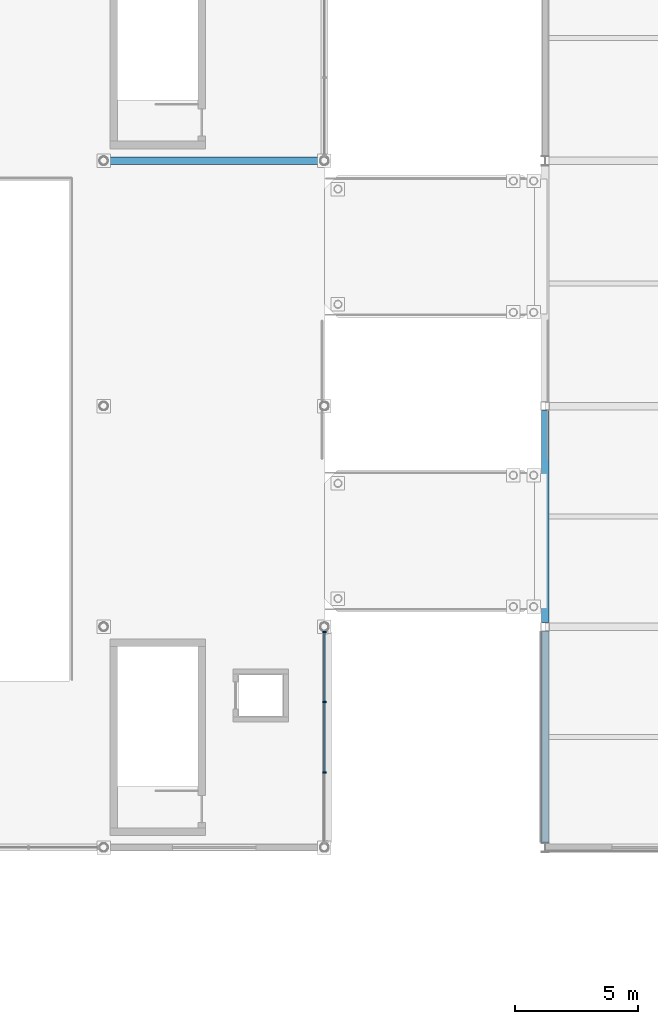
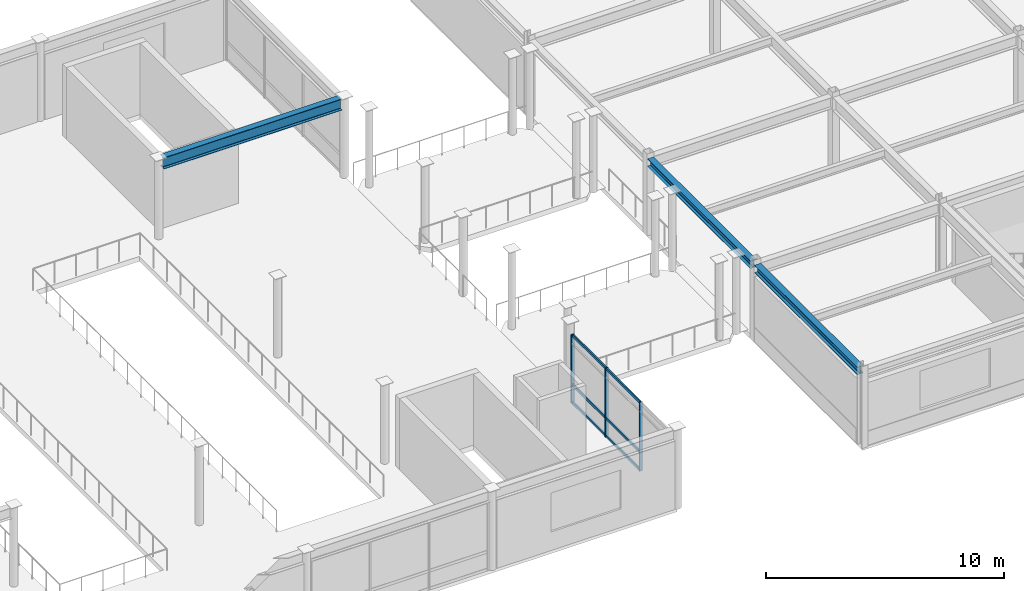
# One storey, part 20 of 53: 9 members, 3 beams, 1 element without a shape of its own.
"""IFC4 building model written with IfcOpenShell, lengths in metres."""

from ifc_helpers import new_model, si_unit, direction, frame, origin, origin_2d, place, context, subcontext, project, spatial, rectangle, i_section, extrude, material, material_profile, profile_set, type_object, element, aggregate, save


model = new_model("IFC4")

# Units and contexts
model_context = context("Model", 3, precision=1e-05, world=origin(), true_north=direction((0.0, 1.0)))
body_context = subcontext(model_context, "Body", "Model", "MODEL_VIEW")
ifc_project = project(units=[si_unit("LENGTHUNIT", "METRE"), si_unit("AREAUNIT", "SQUARE_METRE"), si_unit("VOLUMEUNIT", "CUBIC_METRE"), si_unit("PLANEANGLEUNIT", "RADIAN"), si_unit("MASSUNIT", "GRAM", prefix="KILO")], contexts=[model_context])

# Site, building, storey
site_placement = place(None, origin())
site = spatial("IfcSite", under=ifc_project, at=site_placement, CompositionType="ELEMENT")
building_placement = place(site_placement, origin())
building = spatial("IfcBuilding", under=site, at=building_placement, Name="Suzunagisa Mobility Hub", CompositionType="ELEMENT")
storey_placement = place(building_placement, frame((0.0, 0.0, 17.699951171875)))
storey = spatial("IfcBuildingStorey", under=building, at=storey_placement, Name="L04", CompositionType="ELEMENT", Elevation=17.699951171875)

# Curtain wall, members
ifc_material_1 = material(Name="Thermally Broken Anodized Aluminum and Low-E Glazing", Category="aluminium")
curtain_wall_type = type_object("IfcCurtainWallType", Name="Unitised Curtain Wall CW-15 8750x3500", PredefinedType="USERDEFINED", material=ifc_material_1)
curtain_wall_placement = place(storey_placement, origin())
curtain_wall = element("IfcCurtainWall", 1, at=curtain_wall_placement, inside=storey, type_object=curtain_wall_type, Name="L04 Unitised Curtain Wall CW-84", ObjectType="UNITISED CURTAIN WALL", PredefinedType="USERDEFINED")
ifc_material_2 = material(Name="Anodized Aluminum 6063-T6", Category="aluminium")
ifc_material_profile_1 = material_profile(ifc_material_2, rectangle(XDim=0.06494140625, YDim=0.139892578125, at=origin_2d()), Name="TRAN-65x140")
ifc_profile_set_1 = profile_set([ifc_material_profile_1], Name="Anodized Aluminum 6063-T6")
member_type_1 = type_object("IfcMemberType", Name="Curtain Wall Framing CM-01 TRAN-65x140", PredefinedType="USERDEFINED", material=ifc_profile_set_1)
member_1_placement = place(storey_placement, frame((36.0, 83.08740234375, 0.032470703125), z_axis=(0.0, 1.0, 0.0), x_axis=(-1.0, 0.0, 0.0)))
member_1 = element("IfcMember", 2, at=member_1_placement, type_object=member_type_1, Name="Curtain Wall Transom 84-T2.1", ObjectType="TRANSOM", PredefinedType="USERDEFINED", context=body_context, shape_type="SweptSolid", body=[
    extrude(rectangle(XDim=0.06494140625, YDim=0.139892578125, at=origin_2d()), origin(), (0.0, 0.0, 1.0), 2.8251953125),
])
member_2_placement = place(storey_placement, frame((36.0, 83.08740234375, 0.949951171875), z_axis=(0.0, 1.0, 0.0), x_axis=(-1.0, 0.0, 0.0)))
member_2 = element("IfcMember", 3, at=member_2_placement, type_object=member_type_1, Name="Curtain Wall Transom 84-T2.2", ObjectType="TRANSOM", PredefinedType="USERDEFINED", context=body_context, shape_type="SweptSolid", body=[
    extrude(rectangle(XDim=0.06494140625, YDim=0.139892578125, at=origin_2d()), origin(), (0.0, 0.0, 1.0), 2.8251953125),
])
member_3_placement = place(storey_placement, frame((36.0, 83.08740234375, 3.49365234375), z_axis=(0.0, 1.0, 0.0), x_axis=(-1.0, 0.0, 0.0)))
member_3 = element("IfcMember", 4, at=member_3_placement, type_object=member_type_1, Name="Curtain Wall Transom 84-T2.3", ObjectType="TRANSOM", PredefinedType="USERDEFINED", context=body_context, shape_type="SweptSolid", body=[
    extrude(rectangle(XDim=0.06494140625, YDim=0.139892578125, at=origin_2d()), origin(), (0.0, 0.0, 1.0), 2.8251953125),
])
member_4_placement = place(storey_placement, frame((36.0, 85.96875, 0.032470703125), z_axis=(0.0, 1.0, 0.0), x_axis=(-1.0, 0.0, 0.0)))
member_4 = element("IfcMember", 5, at=member_4_placement, type_object=member_type_1, Name="Curtain Wall Transom 84-T3.1", ObjectType="TRANSOM", PredefinedType="USERDEFINED", context=body_context, shape_type="SweptSolid", body=[
    extrude(rectangle(XDim=0.06494140625, YDim=0.139892578125, at=origin_2d()), origin(), (0.0, 0.0, 1.0), 2.79541015625),
])
member_5_placement = place(storey_placement, frame((36.0, 85.96875, 0.949951171875), z_axis=(0.0, 1.0, 0.0), x_axis=(-1.0, 0.0, 0.0)))
member_5 = element("IfcMember", 6, at=member_5_placement, type_object=member_type_1, Name="Curtain Wall Transom 84-T3.2", ObjectType="TRANSOM", PredefinedType="USERDEFINED", context=body_context, shape_type="SweptSolid", body=[
    extrude(rectangle(XDim=0.06494140625, YDim=0.139892578125, at=origin_2d()), origin(), (0.0, 0.0, 1.0), 2.79541015625),
])
member_6_placement = place(storey_placement, frame((36.0, 85.96875, 3.49365234375), z_axis=(0.0, 1.0, 0.0), x_axis=(-1.0, 0.0, 0.0)))
member_6 = element("IfcMember", 7, at=member_6_placement, type_object=member_type_1, Name="Curtain Wall Transom 84-T3.3", ObjectType="TRANSOM", PredefinedType="USERDEFINED", context=body_context, shape_type="SweptSolid", body=[
    extrude(rectangle(XDim=0.06494140625, YDim=0.139892578125, at=origin_2d()), origin(), (0.0, 0.0, 1.0), 2.79541015625),
])
ifc_material_profile_2 = material_profile(ifc_material_2, rectangle(XDim=0.06005859375, YDim=0.14990234375, at=origin_2d()), Name="MULL-60x150")
ifc_profile_set_2 = profile_set([ifc_material_profile_2], Name="Anodized Aluminum 6063-T6")
member_type_2 = type_object("IfcMemberType", Name="Curtain Wall Framing CM-03 MULL-60x150", PredefinedType="MULLION", material=ifc_profile_set_2)
member_7_placement = place(storey_placement, frame((36.0, 83.059326171875, 0.0), z_axis=(0.0, 0.0, 1.0), x_axis=(0.0, 1.0, 0.0)))
member_7 = element("IfcMember", 8, at=member_7_placement, type_object=member_type_2, Name="Curtain Wall Mullion 84-M2", PredefinedType="MULLION", context=body_context, shape_type="SweptSolid", body=[
    extrude(rectangle(XDim=0.06005859375, YDim=0.14990234375, at=origin_2d()), origin(), (0.0, 0.0, 1.0), 3.526123046875),
])
member_8_placement = place(storey_placement, frame((36.0, 85.940673828125, 0.0), z_axis=(0.0, 0.0, 1.0), x_axis=(0.0, 1.0, 0.0)))
member_8 = element("IfcMember", 9, at=member_8_placement, type_object=member_type_2, Name="Curtain Wall Mullion 84-M3", PredefinedType="MULLION", context=body_context, shape_type="SweptSolid", body=[
    extrude(rectangle(XDim=0.06005859375, YDim=0.14990234375, at=origin_2d()), origin(), (0.0, 0.0, 1.0), 3.526123046875),
])
member_9_placement = place(storey_placement, frame((36.0, 88.792236328125, 0.0), z_axis=(0.0, 0.0, 1.0), x_axis=(0.0, 1.0, 0.0)))
member_9 = element("IfcMember", 10, at=member_9_placement, type_object=member_type_2, Name="Curtain Wall Mullion 84-M4", PredefinedType="MULLION", context=body_context, shape_type="SweptSolid", body=[
    extrude(rectangle(XDim=0.06005859375, YDim=0.14990234375, at=origin_2d()), origin(), (0.0, 0.0, 1.0), 3.526123046875),
])
aggregate(curtain_wall, [member_7, member_8, member_9, member_1, member_2, member_3, member_4, member_5, member_6])

# Beams
ifc_material_3 = material(Name="Steel SN490B", Category="steel")
ifc_material_profile_3 = material_profile(ifc_material_3, i_section(OverallWidth=0.300048828125, OverallDepth=0.389892578125, WebThickness=0.010009765625, FlangeThickness=0.01611328125, FilletRadius=0.012939453125, at=origin_2d()), Name="H-390x300x10x16")
ifc_profile_set_3 = profile_set([ifc_material_profile_3], Name="Steel SN490B")
beam_type_1 = type_object("IfcBeamType", Name="Steel Beam BM-13 H-390x300x10x16", PredefinedType="SPANDREL", material=ifc_profile_set_3)
beam_1_placement = place(storey_placement, frame((45.0, 80.19091796875, 3.755126953125), z_axis=(0.0, 1.0, 0.0), x_axis=(-1.0, 0.0, 0.0)))
element("IfcBeam", 11, at=beam_1_placement, inside=storey, type_object=beam_type_1, Name="L04 Primary Girder GY-1173", PredefinedType="SPANDREL", context=body_context, shape_type="SweptSolid", body=[
    extrude(i_section(OverallWidth=0.300048828125, OverallDepth=0.389892578125, WebThickness=0.010009765625, FlangeThickness=0.01611328125, FilletRadius=0.012939453125, at=origin_2d()), origin(), (0.0, 0.0, 1.0), 8.63818359375),
])
beam_2_placement = place(storey_placement, frame((45.0, 89.1708984375, 3.755126953125), z_axis=(0.0, 1.0, 0.0), x_axis=(-1.0, 0.0, 0.0)))
element("IfcBeam", 12, at=beam_2_placement, inside=storey, type_object=beam_type_1, Name="L04 Primary Girder GY-1174", PredefinedType="SPANDREL", context=body_context, shape_type="SweptSolid", body=[
    extrude(i_section(OverallWidth=0.300048828125, OverallDepth=0.389892578125, WebThickness=0.010009765625, FlangeThickness=0.01611328125, FilletRadius=0.012939453125, at=origin_2d()), origin(), (0.0, 0.0, 1.0), 8.658203125),
])
ifc_material_profile_4 = material_profile(ifc_material_3, i_section(OverallWidth=0.300048828125, OverallDepth=0.587890625, WebThickness=0.011962890625, FlangeThickness=0.02001953125, FilletRadius=0.012939453125, at=origin_2d()), Name="H-588x300x12x20")
ifc_profile_set_4 = profile_set([ifc_material_profile_4], Name="Steel SN490B")
beam_type_2 = type_object("IfcBeamType", Name="Steel Beam BM-16 H-588x300x12x20", PredefinedType="BEAM", material=ifc_profile_set_4)
beam_3_placement = place(storey_placement, frame((27.179931640625, 108.0, 3.820068359375), z_axis=(1.0, 0.0, 0.0), x_axis=(0.0, 1.0, 0.0)))
element("IfcBeam", 13, at=beam_3_placement, inside=storey, type_object=beam_type_2, Name="L04 Ramp Drum Eave Girder 2253", PredefinedType="BEAM", context=body_context, shape_type="SweptSolid", body=[
    extrude(i_section(OverallWidth=0.300048828125, OverallDepth=0.587890625, WebThickness=0.011962890625, FlangeThickness=0.02001953125, FilletRadius=0.012939453125, at=origin_2d()), origin(), (0.0, 0.0, 1.0), 8.64013671875),
])

save(model, "model.ifc")
